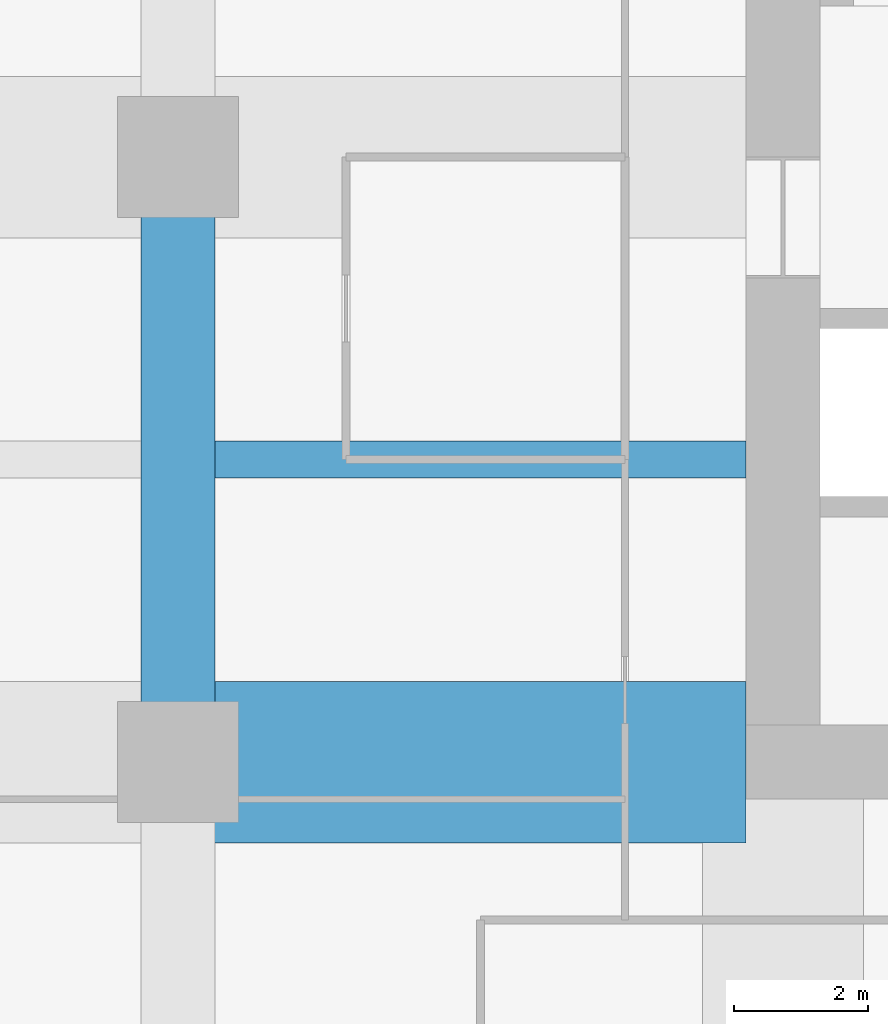
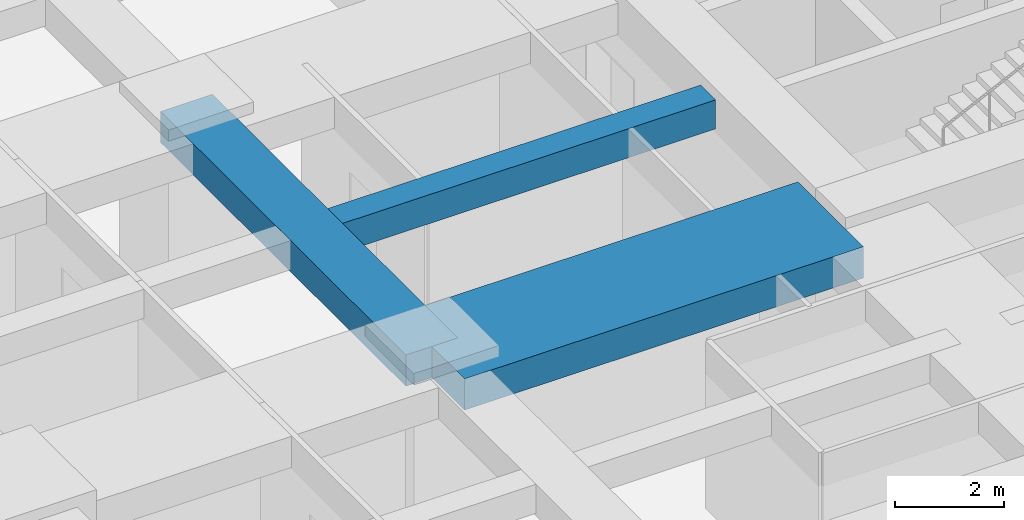
# One storey, part 10 of 43: 3 beams.
"""IFC4 building model written with IfcOpenShell, lengths in metres."""

import ifcopenshell
import ifcopenshell.guid

model = None  # the IFC model being written
_history = None  # IfcOwnerHistory: only IFC2X3 demands one
_inside = {}  # id of a spatial element -> (the spatial element, [elements in it])
_under = {}  # id of a project, library or spatial element -> (it, [spatial elements below it])
_declared = {}  # id of a project -> (the project, [libraries it declares])
_typed = {}  # id of a type object -> (the type object, [elements of that type])
_made_of = {}  # id of a material, layer set ... -> (it, [elements and type objects made of it])


def new_model(schema):
    """Start an empty IFC model of exactly this schema.

    Asked for "IFC4X3", IfcOpenShell would pick the latest addendum, in which some entities
    have other attributes; the version numbers below select the first issue.
    IFC2X3 requires an IfcOwnerHistory on every rooted entity: one is made here for all.
    """
    global model, _history
    if schema == "IFC4X3":
        model = ifcopenshell.file(schema_version=(4, 3, 0, 0))
    else:
        model = ifcopenshell.file(schema=schema)
    _inside.clear()
    _under.clear()
    _declared.clear()
    _typed.clear()
    _made_of.clear()
    _history = None
    if model.schema == "IFC2X3":
        org = make("IfcOrganization", Name="unknown")
        user = make(
            "IfcPersonAndOrganization",
            ThePerson=make("IfcPerson", FamilyName="unknown"),
            TheOrganization=org,
        )
        app = make(
            "IfcApplication",
            ApplicationDeveloper=org,
            Version="unknown",
            ApplicationFullName="unknown",
            ApplicationIdentifier="unknown",
        )
        _history = make(
            "IfcOwnerHistory",
            OwningUser=user,
            OwningApplication=app,
            ChangeAction="ADDED",
            CreationDate=0,
        )
    return model


def make(cls, **values):
    """One entity of the class cls with the attributes given. An attribute that is None is left unset."""
    return model.create_entity(
        cls, **{name: value for name, value in values.items() if value is not None}
    )


def rooted(cls, **values):
    """An entity with a GlobalId (a new one), such as an element, a storey or a relation."""
    return make(cls, GlobalId=ifcopenshell.guid.new(), OwnerHistory=_history, **values)


def si_unit(unit_type, name, prefix=None):
    """IfcSIUnit, for example si_unit("LENGTHUNIT", "METRE", prefix="MILLI")."""
    return make("IfcSIUnit", UnitType=unit_type, Prefix=prefix, Name=name)


def assignment(units):
    """IfcUnitAssignment: the units of a project."""
    return None if units is None else make("IfcUnitAssignment", Units=units)


def point(xyz):
    """IfcCartesianPoint."""
    return None if xyz is None else make("IfcCartesianPoint", Coordinates=xyz)


def direction(xyz):
    """IfcDirection."""
    return None if xyz is None else make("IfcDirection", DirectionRatios=xyz)


def frame(location, z_axis=None, x_axis=None):
    """IfcAxis2Placement3D, a coordinate frame: its origin and axes. An axis left out is left unset."""
    return make(
        "IfcAxis2Placement3D",
        Location=point(location),
        Axis=direction(z_axis),
        RefDirection=direction(x_axis),
    )


def frame_2d(location, x_axis=None):
    """IfcAxis2Placement2D, a coordinate frame in the plane: its origin and x axis."""
    return make(
        "IfcAxis2Placement2D", Location=point(location), RefDirection=direction(x_axis)
    )


def origin():
    """The frame at (0, 0, 0) with its axes left unset."""
    return frame((0.0, 0.0, 0.0))


def origin_2d():
    """The frame at (0, 0) in the plane with its x axis left unset."""
    return frame_2d((0.0, 0.0))


def place(relative_to, where):
    """IfcLocalPlacement: puts the frame where relative to a parent placement (None: the world)."""
    return make(
        "IfcLocalPlacement", PlacementRelTo=relative_to, RelativePlacement=where
    )


def context(
    kind, dimensions, precision=None, world=None, true_north=None, identifier=None
):
    """IfcGeometricRepresentationContext, for example the 3D "Model" context."""
    return make(
        "IfcGeometricRepresentationContext",
        ContextIdentifier=identifier,
        ContextType=kind,
        CoordinateSpaceDimension=dimensions,
        Precision=precision,
        WorldCoordinateSystem=world,
        TrueNorth=true_north,
    )


def subcontext(parent, identifier, kind, view, scale=None):
    """IfcGeometricRepresentationSubContext, for example "Body" below "Model"."""
    return make(
        "IfcGeometricRepresentationSubContext",
        ContextIdentifier=identifier,
        ContextType=kind,
        ParentContext=parent,
        TargetScale=scale,
        TargetView=view,
    )


def project(units=None, contexts=None):
    """IfcProject with its units and contexts."""
    return rooted(
        "IfcProject",
        Name="project",
        RepresentationContexts=contexts,
        UnitsInContext=assignment(units),
    )


def spatial(cls, under=None, at=None, **own):
    """A site, building, storey or space (cls), placed at a placement, below another one or the project."""
    s = rooted(cls, ObjectPlacement=at, **own)
    if under is not None:
        _under.setdefault(under.id(), (under, []))[1].append(s)
    return s


def profile(cls, at=None, kind="AREA", **sizes):
    """A parametric profile (cls). Its sizes go by their IFC names, for example OverallWidth=200.0."""
    return make(cls, ProfileType=kind, Position=at, **sizes)


def rectangle(**sizes):
    """IfcRectangleProfileDef."""
    return profile("IfcRectangleProfileDef", **sizes)


def extrude(swept, where, along, depth):
    """IfcExtrudedAreaSolid: the profile swept, set in the frame where, extruded along a direction by depth."""
    return make(
        "IfcExtrudedAreaSolid",
        SweptArea=swept,
        Position=where,
        ExtrudedDirection=direction(along),
        Depth=depth,
    )


def shape(context_of_items, identifier, shape_type, items):
    """IfcShapeRepresentation: the items that make up one representation, for example the "Body"."""
    return make(
        "IfcShapeRepresentation",
        ContextOfItems=context_of_items,
        RepresentationIdentifier=identifier,
        RepresentationType=shape_type,
        Items=items,
    )


def material(Name=None, Category=None):
    """IfcMaterial."""
    return make("IfcMaterial", Name=Name, Category=Category)


def material_profile(
    of_material, cross_section, Name=None, Category=None, Priority=None
):
    """IfcMaterialProfile: a cross section and its material."""
    return make(
        "IfcMaterialProfile",
        Name=Name,
        Material=of_material,
        Profile=cross_section,
        Priority=Priority,
        Category=Category,
    )


def profile_set(profiles, Name=None, composite=None):
    """IfcMaterialProfileSet."""
    return make(
        "IfcMaterialProfileSet",
        Name=Name,
        MaterialProfiles=profiles,
        CompositeProfile=composite,
    )


def made_of(thing, what):
    """Note that an element or type object is made of a material, layer set ...; save() writes the relation."""
    if what is not None:
        _made_of.setdefault(what.id(), (what, []))[1].append(thing)
    return thing


def type_object(cls, material=None, **own):
    """A type object (cls), such as IfcWallType, which elements share."""
    return made_of(rooted(cls, **own), material)


def element(
    cls,
    number,
    at=None,
    inside=None,
    cuts=None,
    type_object=None,
    material=None,
    context=None,
    identifier="Body",
    shape_type=None,
    held_by="IfcProductDefinitionShape",
    body=None,
    shapes=None,
    **own,
):
    """One element of the class cls, such as IfcWall. Its Tag is "e" and its number.

    at: its placement. inside: the storey or other place that contains it. cuts: it is an
    opening in that element (IfcRelVoidsElement). A single representation is given by context,
    identifier, shape_type and body (its items); several are given by shapes. held_by: the class
    of the entity that holds the representations. save() writes the other relations.
    """
    e = rooted(cls, Tag="e%d" % number, ObjectPlacement=at, **own)
    if body is not None:
        shapes = [shape(context, identifier, shape_type, body)]
    if shapes is not None:
        e.Representation = make(held_by, Representations=shapes)
    if inside is not None:
        _inside.setdefault(inside.id(), (inside, []))[1].append(e)
    if cuts is not None:
        rooted(
            "IfcRelVoidsElement", RelatingBuildingElement=cuts, RelatedOpeningElement=e
        )
    if type_object is not None:
        _typed.setdefault(type_object.id(), (type_object, []))[1].append(e)
    return made_of(e, material)


def aggregate(whole, parts):
    """IfcRelAggregates: a whole, such as a stair, and the parts it consists of."""
    return rooted("IfcRelAggregates", RelatingObject=whole, RelatedObjects=parts)


def save(model, path):
    """Write the relations noted so far, then the file.

    IfcRelAggregates (storeys below a building ...), IfcRelContainedInSpatialStructure (elements
    in a storey), IfcRelDefinesByType, IfcRelAssociatesMaterial and IfcRelDeclares: one each for
    every whole, place, type object, material and project.
    """
    for whole, parts in _under.values():
        aggregate(whole, parts)
    for where, things in _inside.values():
        rooted(
            "IfcRelContainedInSpatialStructure",
            RelatedElements=things,
            RelatingStructure=where,
        )
    for kind, things in _typed.values():
        rooted("IfcRelDefinesByType", RelatedObjects=things, RelatingType=kind)
    for what, things in _made_of.values():
        rooted("IfcRelAssociatesMaterial", RelatedObjects=things, RelatingMaterial=what)
    for by, libraries in _declared.values():
        rooted("IfcRelDeclares", RelatingContext=by, RelatedDefinitions=libraries)
    model.write(path)


model = new_model("IFC4")

# Units and contexts
model_context = context("Model", 3, precision=1e-05, world=origin(), true_north=direction((0.0, 1.0)))
body_context = subcontext(model_context, "Body", "Model", "MODEL_VIEW")
ifc_project = project(units=[si_unit("LENGTHUNIT", "METRE"), si_unit("AREAUNIT", "SQUARE_METRE"), si_unit("VOLUMEUNIT", "CUBIC_METRE"), si_unit("PLANEANGLEUNIT", "RADIAN"), si_unit("MASSUNIT", "GRAM", prefix="KILO")], contexts=[model_context])

# Site, building, storey
site_placement = place(None, origin())
site = spatial("IfcSite", under=ifc_project, at=site_placement, CompositionType="ELEMENT")
building_placement = place(site_placement, origin())
building = spatial("IfcBuilding", under=site, at=building_placement, Name="Zorevar Civic Tower", CompositionType="ELEMENT")
storey_placement = place(building_placement, frame((0.0, 0.0, 145.0)))
storey = spatial("IfcBuildingStorey", under=building, at=storey_placement, Name="L35", CompositionType="ELEMENT", Elevation=145.0)

# Beams
ifc_material_1 = material(Name="Concrete C50/60", Category="concrete")
ifc_material_profile_1 = material_profile(ifc_material_1, rectangle(XDim=1.10009765625, YDim=0.699951171875, at=origin_2d()), Name="RC 1100x700")
ifc_profile_set_1 = profile_set([ifc_material_profile_1], Name="Concrete C50/60")
beam_type_1 = type_object("IfcBeamType", Name="Beam RC 1100x700", PredefinedType="BEAM", material=ifc_profile_set_1)
beam_1_placement = place(storey_placement, frame((9.0, 18.0, 3.39990234375), z_axis=(0.0, 1.0, 0.0), x_axis=(-1.0, 0.0, 0.0)))
element("IfcBeam", 1, at=beam_1_placement, inside=storey, type_object=beam_type_1, Name="Girder L36", PredefinedType="BEAM", context=body_context, shape_type="SweptSolid", body=[
    extrude(rectangle(XDim=1.10009765625, YDim=0.699951171875, at=origin_2d()), origin(), (0.0, 0.0, 1.0), 9.0),
])
ifc_material_2 = material(Name="Concrete C50/60", Category="concrete")
ifc_material_profile_2 = material_profile(ifc_material_2, rectangle(XDim=2.39990234375, YDim=0.699951171875, at=origin_2d()), Name="RC 2400x700")
ifc_profile_set_2 = profile_set([ifc_material_profile_2], Name="Concrete C50/60")
beam_type_2 = type_object("IfcBeamType", Name="Beam RC 2400x700", PredefinedType="BEAM", material=ifc_profile_set_2)
beam_2_placement = place(storey_placement, frame((9.0, 18.0, 3.39990234375), z_axis=(1.0, 0.0, 0.0), x_axis=(0.0, 1.0, 0.0)))
element("IfcBeam", 2, at=beam_2_placement, inside=storey, type_object=beam_type_2, Name="Girder L36", PredefinedType="BEAM", context=body_context, shape_type="SweptSolid", body=[
    extrude(rectangle(XDim=2.39990234375, YDim=0.699951171875, at=origin_2d()), origin(), (0.0, 0.0, 1.0), 8.449951171875),
])
ifc_material_3 = material(Name="Concrete C50/60", Category="concrete")
ifc_material_profile_3 = material_profile(ifc_material_3, rectangle(XDim=0.550048828125, YDim=0.64990234375, at=origin_2d()), Name="RC 550x650")
ifc_profile_set_3 = profile_set([ifc_material_profile_3], Name="Concrete C50/60")
beam_type_3 = type_object("IfcBeamType", Name="Beam RC 550x650", PredefinedType="BEAM", material=ifc_profile_set_3)
beam_3_placement = place(storey_placement, frame((9.550048828125, 22.5, 3.425048828125), z_axis=(1.0, 0.0, 0.0), x_axis=(0.0, 1.0, 0.0)))
element("IfcBeam", 3, at=beam_3_placement, inside=storey, type_object=beam_type_3, Name="Secondary beam L36", PredefinedType="BEAM", context=body_context, shape_type="SweptSolid", body=[
    extrude(rectangle(XDim=0.550048828125, YDim=0.64990234375, at=origin_2d()), origin(), (0.0, 0.0, 1.0), 7.89990234375),
])

save(model, "model.ifc")
